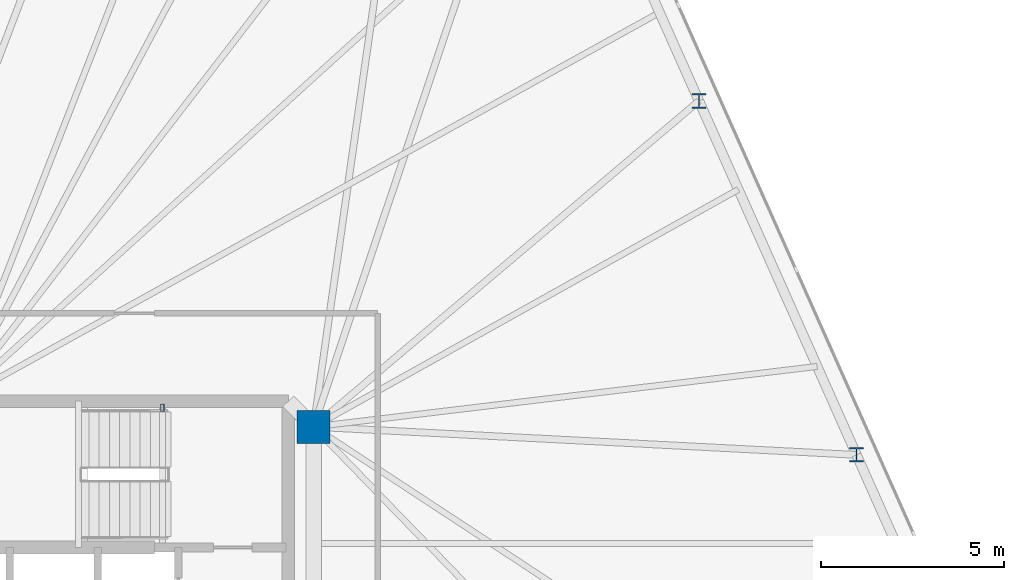
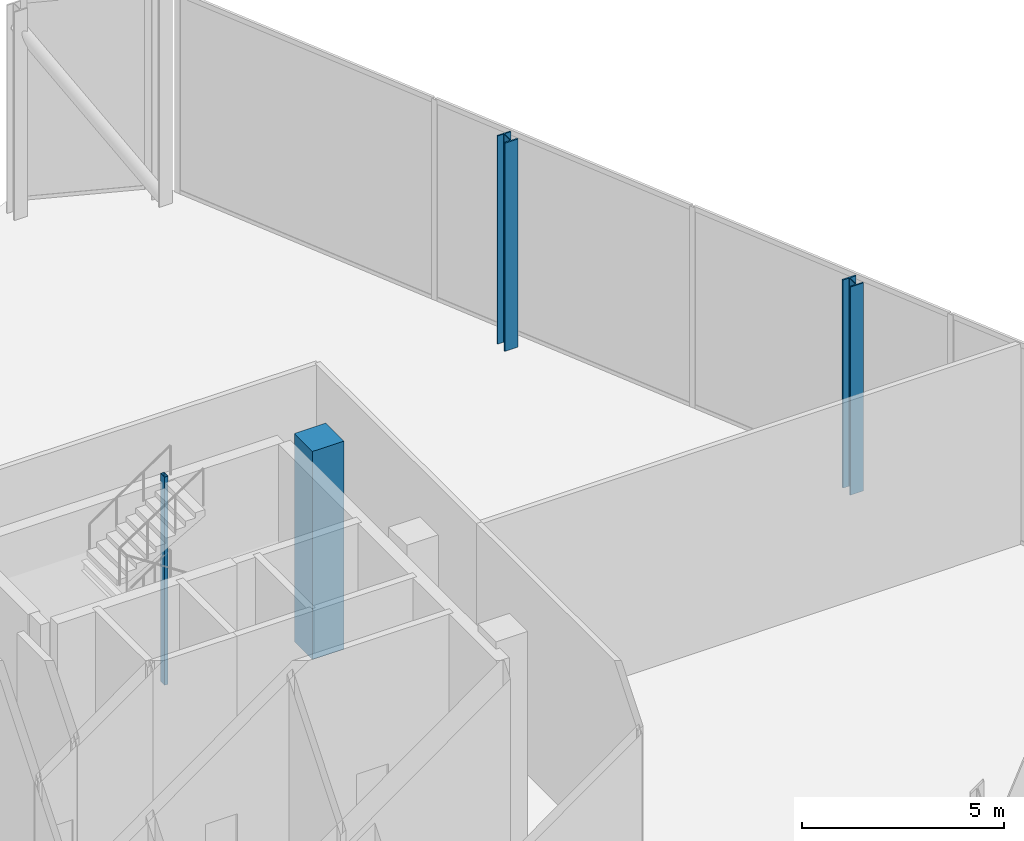
# One storey, part 4 of 16: 4 columns.
"""IFC4 building model written with IfcOpenShell, lengths in metres."""

from ifc_helpers import new_model, si_unit, direction, frame, origin, origin_2d, place, context, subcontext, project, spatial, rectangle, hollow_rectangle, i_section, extrude, material, material_profile, profile_set, type_object, element, save


model = new_model("IFC4")

# Units and contexts
model_context = context("Model", 3, precision=1e-05, world=origin(), true_north=direction((0.0, 1.0)))
body_context = subcontext(model_context, "Body", "Model", "MODEL_VIEW")
ifc_project = project(units=[si_unit("LENGTHUNIT", "METRE"), si_unit("AREAUNIT", "SQUARE_METRE"), si_unit("VOLUMEUNIT", "CUBIC_METRE"), si_unit("PLANEANGLEUNIT", "RADIAN"), si_unit("MASSUNIT", "GRAM", prefix="KILO")], contexts=[model_context])

# Site, building, storey
site_placement = place(None, origin())
site = spatial("IfcSite", under=ifc_project, at=site_placement, CompositionType="ELEMENT")
building_placement = place(site_placement, origin())
building = spatial("IfcBuilding", under=site, at=building_placement, Name="Menara Jurai Vektor", CompositionType="ELEMENT")
storey_placement = place(building_placement, frame((0.0, 0.0, 275.60009765625)))
storey = spatial("IfcBuildingStorey", under=building, at=storey_placement, Name="L74", CompositionType="ELEMENT", Elevation=275.60009765625)

# Columns
ifc_material_1 = material(Name="Steel S460", Category="steel")
ifc_material_profile_1 = material_profile(ifc_material_1, i_section(OverallWidth=0.376953125, OverallDepth=0.39892578125, WebThickness=0.02490234375, FlangeThickness=0.0400390625, FilletRadius=0.014892578125, at=origin_2d()), Name="HD 360x314")
ifc_profile_set_1 = profile_set([ifc_material_profile_1], Name="Steel S460")
column_type_1 = type_object("IfcColumnType", Name="STR-COL-PORTAL", PredefinedType="COLUMN", material=ifc_profile_set_1)
for number, where, z_axis, x_axis, name in (
    (1, (30.086181640625, 4.13330078125, 0.0), (0.0, 0.0, 1.0), (1.0, 0.0, 0.0), "Exoskeleton Column BLK5-E2 L74"),
    (2, (25.781005859375, 13.80322265625, 0.0), (0.0, 0.0, 1.0), (1.0, 0.0, 0.0), "Exoskeleton Column BLK5-E3 L74"),
):
    element("IfcColumn", number, at=place(storey_placement, frame(where, z_axis=z_axis, x_axis=x_axis)), inside=storey, type_object=column_type_1, Name=name, PredefinedType="COLUMN", context=body_context, shape_type="SweptSolid", body=[
        extrude(i_section(OverallWidth=0.376953125, OverallDepth=0.39892578125, WebThickness=0.02490234375, FlangeThickness=0.0400390625, FilletRadius=0.014892578125, at=origin_2d()), origin(), (0.0, 0.0, 1.0), 6.2998046875),
    ])
ifc_material_2 = material(Name="Concrete C50/60", Category="concrete")
ifc_material_profile_2 = material_profile(ifc_material_2, rectangle(XDim=0.89990234375, YDim=0.89990234375, at=origin_2d()), Name="RC 900x900")
ifc_profile_set_2 = profile_set([ifc_material_profile_2], Name="Concrete C50/60")
column_type_2 = type_object("IfcColumnType", Name="STR-COL-RC900", PredefinedType="COLUMN", material=ifc_profile_set_2)
column_1_placement = place(storey_placement, frame((15.25, 4.89990234375, 0.0), z_axis=(0.0, 0.0, 1.0), x_axis=(1.0, 0.0, 0.0)))
element("IfcColumn", 3, at=column_1_placement, inside=storey, type_object=column_type_2, Name="Core Spine Column CE-NE L74", PredefinedType="COLUMN", context=body_context, shape_type="SweptSolid", body=[
    extrude(rectangle(XDim=0.89990234375, YDim=0.89990234375, at=origin_2d()), origin(), (0.0, 0.0, 1.0), 6.2998046875),
])
ifc_material_3 = material(Name="Steel S355", Category="steel")
ifc_material_profile_3 = material_profile(ifc_material_3, hollow_rectangle(XDim=0.10009765625, YDim=0.199951171875, WallThickness=0.008056640625, at=origin_2d()), Name="RHS 200x100x8")
ifc_profile_set_3 = profile_set([ifc_material_profile_3], Name="Steel S355")
column_type_3 = type_object("IfcColumnType", Name="STR-COL-STAIR", PredefinedType="COLUMN", material=ifc_profile_set_3)
column_2_placement = place(storey_placement, frame((11.1201171875, 5.419921875, 0.0), z_axis=(0.0, 0.0, 1.0), x_axis=(1.0, 0.0, 0.0)))
element("IfcColumn", 4, at=column_2_placement, inside=storey, type_object=column_type_3, Name="Stair Well Header Column ST2-P2 L74", PredefinedType="COLUMN", context=body_context, shape_type="SweptSolid", body=[
    extrude(hollow_rectangle(XDim=0.10009765625, YDim=0.199951171875, WallThickness=0.008056640625, at=origin_2d()), origin(), (0.0, 0.0, 1.0), 6.2998046875),
])

save(model, "model.ifc")
